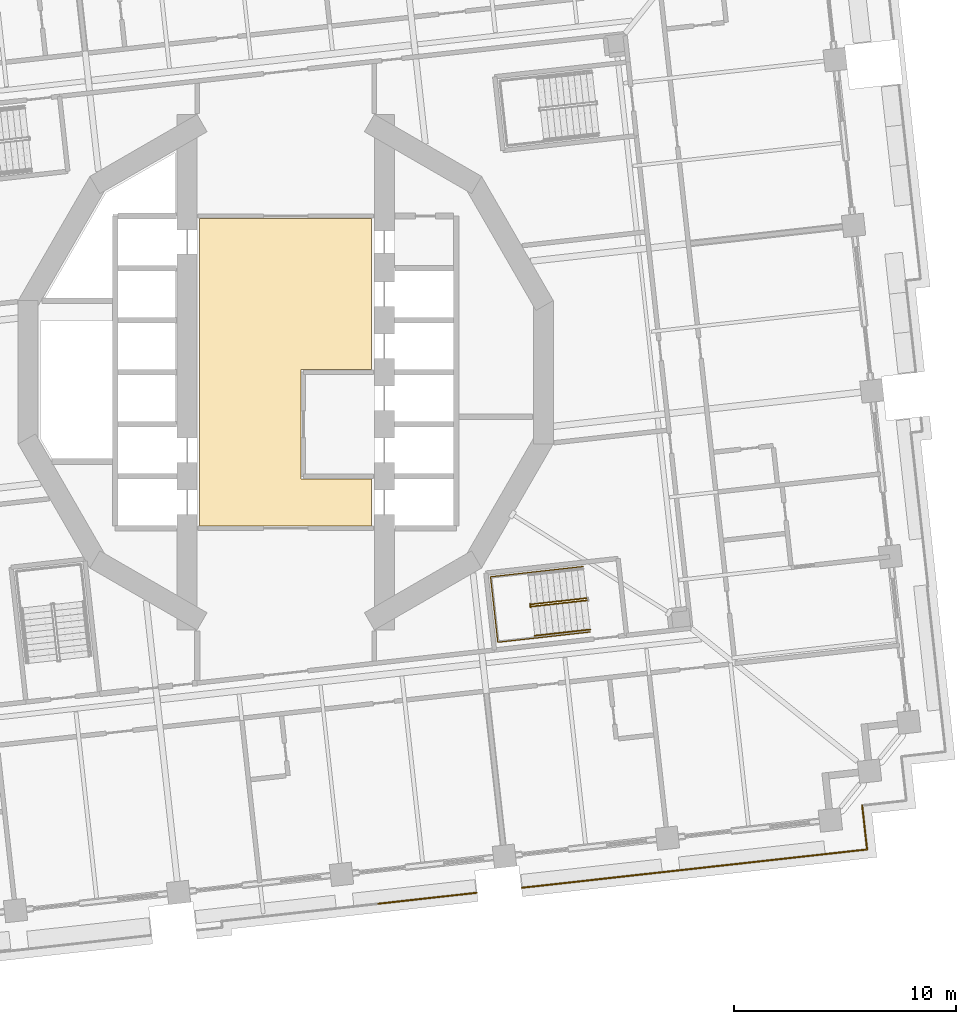
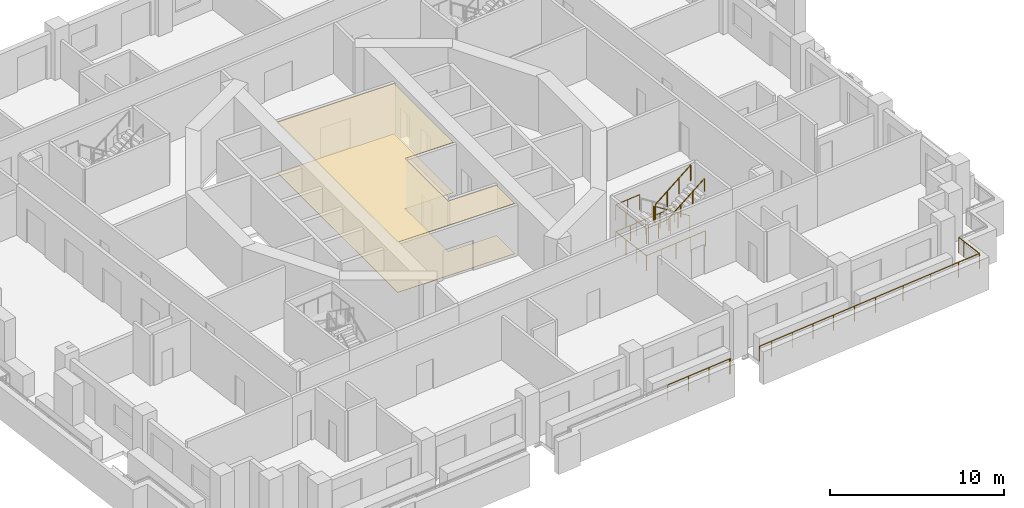
# One storey, part 14 of 19: 7 railings, 2 coverings.
"""IFC4 building model written with IfcOpenShell, lengths in metres."""

from ifc_helpers import new_model, si_unit, direction, frame, origin, origin_2d, place, context, subcontext, project, spatial, polyline, circle, outline, extrude, material, layer, layer_set, type_object, element, save


model = new_model("IFC4")

# Units and contexts
model_context = context("Model", 3, precision=1e-05, world=origin(), true_north=direction((0.0, 1.0)))
body_context = subcontext(model_context, "Body", "Model", "MODEL_VIEW")
ifc_project = project(units=[si_unit("LENGTHUNIT", "METRE"), si_unit("AREAUNIT", "SQUARE_METRE"), si_unit("VOLUMEUNIT", "CUBIC_METRE"), si_unit("PLANEANGLEUNIT", "RADIAN"), si_unit("MASSUNIT", "GRAM", prefix="KILO")], contexts=[model_context])

# Site, building, storey
site_placement = place(None, origin())
site = spatial("IfcSite", under=ifc_project, at=site_placement, CompositionType="ELEMENT")
building_placement = place(site_placement, origin())
building = spatial("IfcBuilding", under=site, at=building_placement, Name="Cantera Rosa Tower", CompositionType="ELEMENT")
storey_placement = place(building_placement, frame((0.0, 0.0, 65.300048828125)))
storey = spatial("IfcBuildingStorey", under=building, at=storey_placement, Name="L13", CompositionType="ELEMENT", Elevation=65.300048828125)

# Railings
ifc_material_1 = material(Name="Stainless steel and laminated glass", Category="steel")
railing_type_1 = type_object("IfcRailingType", Name="GUARD 1100", PredefinedType="BALUSTRADE", material=ifc_material_1)
railing_1_placement = place(storey_placement, frame((8.6142578125, -23.4931640625, 0.0)))
element("IfcRailing", 1, at=railing_1_placement, inside=storey, type_object=railing_type_1, Name="GUARD L13-6", PredefinedType="BALUSTRADE", context=body_context, shape_type="SweptSolid", body=[
    extrude(circle(Radius=0.030029296875, at=origin_2d()), frame((0.0, 0.0, 1.070068359375), z_axis=(-0.994136314057, -0.108134125389, 0.0), x_axis=(0.108134125389, -0.994136314057, 0.0)), (0.0, 0.0, 1.0), 0.070068359375),
    extrude(circle(Radius=0.030029296875, at=origin_2d()), frame((-0.069580078125, -0.007568359375, 1.070068359375), z_axis=(-0.993891851654, -0.110358448777, 0.0), x_axis=(0.110358448777, -0.993891851654, 0.0)), (0.0, 0.0, 1.0), 4.400146484375),
    extrude(circle(Radius=0.02490234375, at=origin_2d()), origin(), (0.0, 0.0, 1.0), 1.0400390625),
    extrude(circle(Radius=0.02490234375, at=origin_2d()), frame((-0.069580078125, -0.007568359375, 0.0)), (0.0, 0.0, 1.0), 1.0400390625),
    extrude(circle(Radius=0.02490234375, at=origin_2d()), frame((-1.52734375, -0.16943359375, 0.0)), (0.0, 0.0, 1.0), 1.0400390625),
    extrude(circle(Radius=0.02490234375, at=origin_2d()), frame((-2.985107421875, -0.331298828125, 0.0)), (0.0, 0.0, 1.0), 1.0400390625),
    extrude(circle(Radius=0.02490234375, at=origin_2d()), frame((-4.44287109375, -0.4931640625, 0.0)), (0.0, 0.0, 1.0), 1.0400390625),
])
railing_2_placement = place(storey_placement, frame((26.015380859375, -19.549560546875, 0.0)))
element("IfcRailing", 2, at=railing_2_placement, inside=storey, type_object=railing_type_1, Name="GUARD L13-7", PredefinedType="BALUSTRADE", context=body_context, shape_type="SweptSolid", body=[
    extrude(circle(Radius=0.030029296875, at=origin_2d()), frame((0.0, 0.0, 1.070068359375), z_axis=(0.110377921269, -0.9938896893, 0.0), x_axis=(0.9938896893, 0.110377921269, 0.0)), (0.0, 0.0, 1.0), 0.5),
    extrude(circle(Radius=0.030029296875, at=origin_2d()), frame((0.05517578125, -0.496826171875, 1.070068359375), z_axis=(0.110181444005, -0.99391148972, 0.0), x_axis=(0.99391148972, 0.110181444005, 0.0)), (0.0, 0.0, 1.0), 1.5),
    extrude(circle(Radius=0.030029296875, at=origin_2d()), frame((0.220458984375, -1.98779296875, 1.070068359375), z_axis=(-0.993909513469, -0.110199269672, 0.0), x_axis=(0.110199269672, -0.993909513469, 0.0)), (0.0, 0.0, 1.0), 1.499755859375),
    extrude(circle(Radius=0.030029296875, at=origin_2d()), frame((-1.270263671875, -2.153076171875, 1.070068359375), z_axis=(-0.993896343916, -0.1103179838, 0.0), x_axis=(0.1103179838, -0.993896343916, 0.0)), (0.0, 0.0, 1.0), 5.900146484375),
    extrude(circle(Radius=0.030029296875, at=origin_2d()), frame((-7.13427734375, -2.803955078125, 1.070068359375), z_axis=(-0.993892663362, -0.110351138256, 0.0), x_axis=(0.110351138256, -0.993892663362, 0.0)), (0.0, 0.0, 1.0), 3.0),
    extrude(circle(Radius=0.030029296875, at=origin_2d()), frame((-10.115966796875, -3.135009765625, 1.070068359375), z_axis=(-0.993897260817, -0.110309722784, 0.0), x_axis=(0.110309722784, -0.993897260817, 0.0)), (0.0, 0.0, 1.0), 4.39990234375),
    extrude(circle(Radius=0.030029296875, at=origin_2d()), frame((-14.489013671875, -3.620361328125, 1.070068359375), z_axis=(-0.993900832769, -0.110277534522, 0.0), x_axis=(0.110277534522, -0.993900832769, 0.0)), (0.0, 0.0, 1.0), 0.8701171875),
    extrude(circle(Radius=0.02490234375, at=origin_2d()), origin(), (0.0, 0.0, 1.0), 1.0400390625),
    extrude(circle(Radius=0.02490234375, at=origin_2d()), frame((0.05517578125, -0.496826171875, 0.0)), (0.0, 0.0, 1.0), 1.0400390625),
    extrude(circle(Radius=0.02490234375, at=origin_2d()), frame((0.220458984375, -1.98779296875, 0.0)), (0.0, 0.0, 1.0), 1.0400390625),
    extrude(circle(Radius=0.02490234375, at=origin_2d()), frame((-1.270263671875, -2.153076171875, 0.0)), (0.0, 0.0, 1.0), 1.0400390625),
    extrude(circle(Radius=0.02490234375, at=origin_2d()), frame((-3.224853515625, -2.3701171875, 0.0)), (0.0, 0.0, 1.0), 1.0400390625),
    extrude(circle(Radius=0.02490234375, at=origin_2d()), frame((-5.1796875, -2.5869140625, 0.0)), (0.0, 0.0, 1.0), 1.0400390625),
    extrude(circle(Radius=0.02490234375, at=origin_2d()), frame((-7.13427734375, -2.803955078125, 0.0)), (0.0, 0.0, 1.0), 1.0400390625),
    extrude(circle(Radius=0.02490234375, at=origin_2d()), frame((-8.625, -2.969482421875, 0.0)), (0.0, 0.0, 1.0), 1.0400390625),
    extrude(circle(Radius=0.02490234375, at=origin_2d()), frame((-10.115966796875, -3.135009765625, 0.0)), (0.0, 0.0, 1.0), 1.0400390625),
    extrude(circle(Radius=0.02490234375, at=origin_2d()), frame((-11.57373046875, -3.296875, 0.0)), (0.0, 0.0, 1.0), 1.0400390625),
    extrude(circle(Radius=0.02490234375, at=origin_2d()), frame((-13.03125, -3.45849609375, 0.0)), (0.0, 0.0, 1.0), 1.0400390625),
    extrude(circle(Radius=0.02490234375, at=origin_2d()), frame((-14.489013671875, -3.620361328125, 0.0)), (0.0, 0.0, 1.0), 1.0400390625),
    extrude(circle(Radius=0.02490234375, at=origin_2d()), frame((-15.353759765625, -3.71630859375, 0.0)), (0.0, 0.0, 1.0), 1.0400390625),
])
ifc_material_2 = material(Name="Steel S355J2 (EN 10025-2)", Category="steel")
railing_type_2 = type_object("IfcRailingType", Name="STAIR GUARD 1100", PredefinedType="GUARDRAIL", material=ifc_material_2)
railing_3_placement = place(storey_placement, frame((13.5859375, -10.19677734375, 0.18994140625)))
element("IfcRailing", 3, at=railing_3_placement, inside=storey, type_object=railing_type_2, Name="L13 ST-14 stair guard 1", PredefinedType="GUARDRAIL", context=body_context, shape_type="SweptSolid", body=[
    extrude(circle(Radius=0.02392578125, at=origin_2d()), frame((0.0, 0.0, 1.076171875), z_axis=(-0.822405392514, -0.091316020869, 0.561525382059), x_axis=(0.110357086308, -0.993892002937, 0.0)), (0.0, 0.0, 1.0), 3.045166015625),
    extrude(circle(Radius=0.02392578125, at=origin_2d()), frame((-2.50439453125, -0.278076171875, 2.7861328125), z_axis=(-0.933456941688, 0.358689472963, 0.0), x_axis=(-0.358689472963, -0.933456941688, 0.0)), (0.0, 0.0, 1.0), 0.056396484375),
    extrude(circle(Radius=0.02392578125, at=origin_2d()), frame((-2.55712890625, -0.2578125, 2.7861328125), z_axis=(0.110789159685, -0.993843932464, 0.0), x_axis=(0.993843932464, 0.110789159685, 0.0)), (0.0, 0.0, 1.0), 0.14990234375),
    extrude(circle(Radius=0.02099609375, at=origin_2d()), origin(), (0.0, 0.0, 1.0), 1.052001953125),
    extrude(circle(Radius=0.02099609375, at=origin_2d()), frame((-0.834716796875, -0.0927734375, 0.570068359375)), (0.0, 0.0, 1.0), 1.052001953125),
    extrude(circle(Radius=0.02099609375, at=origin_2d()), frame((-1.669677734375, -0.185302734375, 1.139892578125)), (0.0, 0.0, 1.0), 1.052001953125),
    extrude(circle(Radius=0.02099609375, at=origin_2d()), frame((-2.50439453125, -0.278076171875, 1.7099609375)), (0.0, 0.0, 1.0), 1.052001953125),
    extrude(circle(Radius=0.02099609375, at=origin_2d()), frame((-2.55712890625, -0.2578125, 1.7099609375)), (0.0, 0.0, 1.0), 1.052001953125),
    extrude(circle(Radius=0.02099609375, at=origin_2d()), frame((-2.54052734375, -0.40673828125, 1.7099609375)), (0.0, 0.0, 1.0), 1.052001953125),
])
railing_4_placement = place(storey_placement, frame((11.09228515625, -10.572265625, 2.08984375)))
element("IfcRailing", 4, at=railing_4_placement, inside=storey, type_object=railing_type_2, Name="L13 ST-14 stair guard 2", PredefinedType="GUARDRAIL", context=body_context, shape_type="SweptSolid", body=[
    extrude(circle(Radius=0.02392578125, at=origin_2d()), frame((0.0, 0.0, 1.076171875), z_axis=(0.822394317572, 0.091305890215, 0.561543249302), x_axis=(-0.110346460196, 0.993893182753, 0.0)), (0.0, 0.0, 1.0), 3.045654296875),
    extrude(circle(Radius=0.02099609375, at=origin_2d()), origin(), (0.0, 0.0, 1.0), 1.052001953125),
    extrude(circle(Radius=0.02099609375, at=origin_2d()), frame((0.8349609375, 0.0927734375, 0.570068359375)), (0.0, 0.0, 1.0), 1.052001953125),
    extrude(circle(Radius=0.02099609375, at=origin_2d()), frame((1.669677734375, 0.185302734375, 1.14013671875)), (0.0, 0.0, 1.0), 1.052001953125),
    extrude(circle(Radius=0.02099609375, at=origin_2d()), frame((2.504638671875, 0.278076171875, 1.710205078125)), (0.0, 0.0, 1.0), 1.052001953125),
])
railing_5_placement = place(storey_placement, frame((13.415771484375, -8.77099609375, 0.0)))
element("IfcRailing", 5, at=railing_5_placement, inside=storey, type_object=railing_type_2, Name="L13 ST-14 stair guard 4", PredefinedType="GUARDRAIL", context=body_context, shape_type="SweptSolid", body=[
    extrude(circle(Radius=0.02392578125, at=origin_2d()), frame((0.0, 0.0, 1.076171875), z_axis=(-0.9938957856, -0.110323013767, 0.0), x_axis=(0.110323013767, -0.9938957856, 0.0)), (0.0, 0.0, 1.0), 4.197998046875),
    extrude(circle(Radius=0.02392578125, at=origin_2d()), frame((-4.17236328125, -0.463134765625, 1.076171875), z_axis=(0.110314237986, -0.993896759678, 0.0), x_axis=(0.993896759678, 0.110314237986, 0.0)), (0.0, 0.0, 1.0), 2.969970703125),
    extrude(circle(Radius=0.02392578125, at=origin_2d()), frame((-3.8447265625, -3.4150390625, 1.076171875), z_axis=(0.9938957856, 0.110323013767, 0.0), x_axis=(-0.110323013767, 0.9938957856, 0.0)), (0.0, 0.0, 1.0), 4.197998046875),
    extrude(circle(Radius=0.02099609375, at=origin_2d()), origin(), (0.0, 0.0, 1.0), 1.052001953125),
    extrude(circle(Radius=0.02099609375, at=origin_2d()), frame((-1.04296875, -0.11572265625, 0.0)), (0.0, 0.0, 1.0), 1.052001953125),
    extrude(circle(Radius=0.02099609375, at=origin_2d()), frame((-2.086181640625, -0.2314453125, 0.0)), (0.0, 0.0, 1.0), 1.052001953125),
    extrude(circle(Radius=0.02099609375, at=origin_2d()), frame((-3.12939453125, -0.347412109375, 0.0)), (0.0, 0.0, 1.0), 1.052001953125),
    extrude(circle(Radius=0.02099609375, at=origin_2d()), frame((-4.17236328125, -0.463134765625, 0.0)), (0.0, 0.0, 1.0), 1.052001953125),
    extrude(circle(Radius=0.02099609375, at=origin_2d()), frame((-4.063232421875, -1.447021484375, 0.0)), (0.0, 0.0, 1.0), 1.052001953125),
    extrude(circle(Radius=0.02099609375, at=origin_2d()), frame((-3.953857421875, -2.43115234375, 0.0)), (0.0, 0.0, 1.0), 1.052001953125),
    extrude(circle(Radius=0.02099609375, at=origin_2d()), frame((-3.8447265625, -3.4150390625, 0.0)), (0.0, 0.0, 1.0), 1.052001953125),
    extrude(circle(Radius=0.02099609375, at=origin_2d()), frame((-2.8017578125, -3.29931640625, 0.0)), (0.0, 0.0, 1.0), 1.052001953125),
    extrude(circle(Radius=0.02099609375, at=origin_2d()), frame((-1.758544921875, -3.18359375, 0.0)), (0.0, 0.0, 1.0), 1.052001953125),
    extrude(circle(Radius=0.02099609375, at=origin_2d()), frame((-0.71533203125, -3.067626953125, 0.0)), (0.0, 0.0, 1.0), 1.052001953125),
    extrude(circle(Radius=0.02099609375, at=origin_2d()), frame((0.32763671875, -2.951904296875, 0.0)), (0.0, 0.0, 1.0), 1.052001953125),
])
railing_6_placement = place(storey_placement, frame((10.93505859375, -9.04638671875, 1.89990234375)))
element("IfcRailing", 6, at=railing_6_placement, inside=storey, type_object=railing_type_2, Name="L13 ST-14 stair guard 5", PredefinedType="GUARDRAIL", context=body_context, shape_type="SweptSolid", body=[
    extrude(circle(Radius=0.02392578125, at=origin_2d()), frame((0.0, 0.0, 1.076171875), z_axis=(-0.993897720867, -0.110305577623, 0.0), x_axis=(0.110305577623, -0.993897720867, 0.0)), (0.0, 0.0, 1.0), 1.7021484375),
    extrude(circle(Radius=0.02392578125, at=origin_2d()), frame((-1.691650390625, -0.187744140625, 1.076171875), z_axis=(0.110314237986, -0.993896759678, 0.0), x_axis=(0.993896759678, 0.110314237986, 0.0)), (0.0, 0.0, 1.0), 2.969970703125),
    extrude(circle(Radius=0.02392578125, at=origin_2d()), frame((-1.364013671875, -3.1396484375, 1.076171875), z_axis=(0.993881985305, 0.110447269257, 0.0), x_axis=(-0.110447269257, 0.993881985305, 0.0)), (0.0, 0.0, 1.0), 1.7021484375),
    extrude(circle(Radius=0.02099609375, at=origin_2d()), origin(), (0.0, 0.0, 1.0), 1.052001953125),
    extrude(circle(Radius=0.02099609375, at=origin_2d()), frame((-0.845703125, -0.09375, 0.0)), (0.0, 0.0, 1.0), 1.052001953125),
    extrude(circle(Radius=0.02099609375, at=origin_2d()), frame((-1.691650390625, -0.187744140625, 0.0)), (0.0, 0.0, 1.0), 1.052001953125),
    extrude(circle(Radius=0.02099609375, at=origin_2d()), frame((-1.58251953125, -1.171630859375, 0.0)), (0.0, 0.0, 1.0), 1.052001953125),
    extrude(circle(Radius=0.02099609375, at=origin_2d()), frame((-1.47314453125, -2.15576171875, 0.0)), (0.0, 0.0, 1.0), 1.052001953125),
    extrude(circle(Radius=0.02099609375, at=origin_2d()), frame((-1.364013671875, -3.1396484375, 0.0)), (0.0, 0.0, 1.0), 1.052001953125),
    extrude(circle(Radius=0.02099609375, at=origin_2d()), frame((-0.51806640625, -3.045654296875, 0.0)), (0.0, 0.0, 1.0), 1.052001953125),
    extrude(circle(Radius=0.02099609375, at=origin_2d()), frame((0.32763671875, -2.95166015625, 0.0)), (0.0, 0.0, 1.0), 1.052001953125),
])
ifc_material_3 = material(Name="Steel S355J2 (EN 10025-2)", Category="steel")
railing_type_3 = type_object("IfcRailingType", Name="STAIR HANDRAIL 900", PredefinedType="HANDRAIL", material=ifc_material_3)
railing_7_placement = place(storey_placement, frame((11.238525390625, -11.89013671875, 2.08984375)))
element("IfcRailing", 7, at=railing_7_placement, inside=storey, type_object=railing_type_3, Name="L13 ST-14 stair handrail 2", PredefinedType="HANDRAIL", context=body_context, shape_type="SweptSolid", body=[
    extrude(circle(Radius=0.02392578125, at=origin_2d()), frame((0.0, 0.0, 0.8759765625), z_axis=(0.822394317572, 0.091305890215, 0.561543249302), x_axis=(-0.110346460196, 0.993893182753, 0.0)), (0.0, 0.0, 1.0), 3.045654296875),
    extrude(circle(Radius=0.02099609375, at=origin_2d()), origin(), (0.0, 0.0, 1.0), 0.851806640625),
    extrude(circle(Radius=0.02099609375, at=origin_2d()), frame((0.8349609375, 0.0927734375, 0.570068359375)), (0.0, 0.0, 1.0), 0.851806640625),
    extrude(circle(Radius=0.02099609375, at=origin_2d()), frame((1.669677734375, 0.185302734375, 1.14013671875)), (0.0, 0.0, 1.0), 0.851806640625),
    extrude(circle(Radius=0.02099609375, at=origin_2d()), frame((2.504638671875, 0.278076171875, 1.710205078125)), (0.0, 0.0, 1.0), 0.851806640625),
])

# Coverings
ifc_material_4 = material(Name="Limestone paving", Category="masonry")
ifc_layer_1 = layer(ifc_material_4, 0.02490234375)
ifc_layer_set_1 = layer_set([ifc_layer_1], Name="STONE FLOOR FINISH 25")
covering_type_1 = type_object("IfcCoveringType", Name="STONE FLOOR FINISH 25", PredefinedType="FLOORING", material=ifc_layer_set_1)
covering_1_placement = place(storey_placement, origin())
element("IfcCovering", 8, at=covering_1_placement, inside=storey, type_object=covering_type_1, Name="STONE FLOOR FINISH L13", PredefinedType="FLOORING", context=body_context, shape_type="SweptSolid", body=[
    extrude(outline(polyline([(3.8798828125, 6.929931640625), (3.8798828125, 0.1201171875), (0.679931640625, 0.1201171875), (0.679931640625, -4.820068359375), (3.8798828125, -4.820068359375), (3.8798828125, -6.929931640625), (-3.8798828125, -6.929931640625), (-3.8798828125, 6.929931640625), (3.8798828125, 6.929931640625)])), origin(), (0.0, 0.0, 1.0), 0.02490234375),
])
ifc_material_5 = material(Name="Gypsum ceiling tile")
ifc_layer_2 = layer(ifc_material_5, 0.030029296875)
ifc_layer_set_2 = layer_set([ifc_layer_2], Name="SUSPENDED CEILING 30")
covering_type_2 = type_object("IfcCoveringType", Name="SUSPENDED CEILING 30", PredefinedType="CEILING", material=ifc_layer_set_2)
covering_2_placement = place(storey_placement, frame((0.0, 0.0, 3.52001953125)))
element("IfcCovering", 9, at=covering_2_placement, inside=storey, type_object=covering_type_2, Name="SUSPENDED CEILING L13", PredefinedType="CEILING", context=body_context, shape_type="SweptSolid", body=[
    extrude(outline(polyline([(3.8798828125, 6.929931640625), (3.8798828125, 0.1201171875), (0.679931640625, 0.1201171875), (0.679931640625, -4.820068359375), (3.8798828125, -4.820068359375), (3.8798828125, -6.929931640625), (-3.8798828125, -6.929931640625), (-3.8798828125, 6.929931640625), (3.8798828125, 6.929931640625)])), origin(), (0.0, 0.0, 1.0), 0.030029296875),
])

save(model, "model.ifc")
